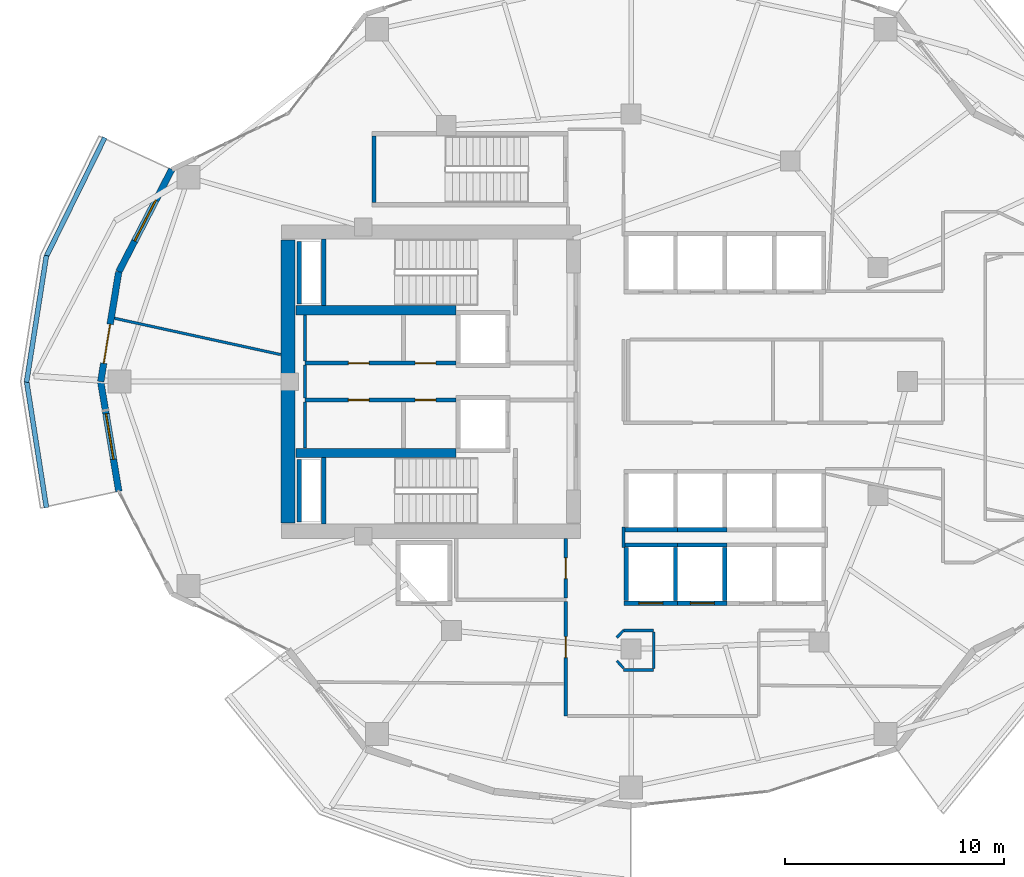
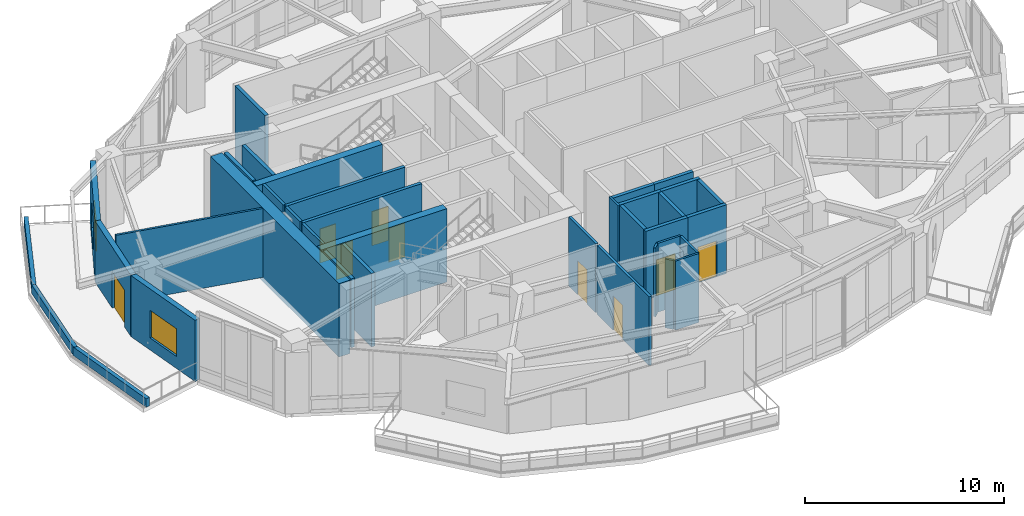
# One storey, part 10 of 16: 37 walls, 9 doors, 2 windows, 11 openings.
"""IFC4 building model written with IfcOpenShell, lengths in metres."""

import ifcopenshell
import ifcopenshell.guid

model = None  # the IFC model being written
_history = None  # IfcOwnerHistory: only IFC2X3 demands one
_inside = {}  # id of a spatial element -> (the spatial element, [elements in it])
_under = {}  # id of a project, library or spatial element -> (it, [spatial elements below it])
_declared = {}  # id of a project -> (the project, [libraries it declares])
_typed = {}  # id of a type object -> (the type object, [elements of that type])
_made_of = {}  # id of a material, layer set ... -> (it, [elements and type objects made of it])


def new_model(schema):
    """Start an empty IFC model of exactly this schema.

    Asked for "IFC4X3", IfcOpenShell would pick the latest addendum, in which some entities
    have other attributes; the version numbers below select the first issue.
    IFC2X3 requires an IfcOwnerHistory on every rooted entity: one is made here for all.
    """
    global model, _history
    if schema == "IFC4X3":
        model = ifcopenshell.file(schema_version=(4, 3, 0, 0))
    else:
        model = ifcopenshell.file(schema=schema)
    _inside.clear()
    _under.clear()
    _declared.clear()
    _typed.clear()
    _made_of.clear()
    _history = None
    if model.schema == "IFC2X3":
        org = make("IfcOrganization", Name="unknown")
        user = make(
            "IfcPersonAndOrganization",
            ThePerson=make("IfcPerson", FamilyName="unknown"),
            TheOrganization=org,
        )
        app = make(
            "IfcApplication",
            ApplicationDeveloper=org,
            Version="unknown",
            ApplicationFullName="unknown",
            ApplicationIdentifier="unknown",
        )
        _history = make(
            "IfcOwnerHistory",
            OwningUser=user,
            OwningApplication=app,
            ChangeAction="ADDED",
            CreationDate=0,
        )
    return model


def make(cls, **values):
    """One entity of the class cls with the attributes given. An attribute that is None is left unset."""
    return model.create_entity(
        cls, **{name: value for name, value in values.items() if value is not None}
    )


def rooted(cls, **values):
    """An entity with a GlobalId (a new one), such as an element, a storey or a relation."""
    return make(cls, GlobalId=ifcopenshell.guid.new(), OwnerHistory=_history, **values)


def si_unit(unit_type, name, prefix=None):
    """IfcSIUnit, for example si_unit("LENGTHUNIT", "METRE", prefix="MILLI")."""
    return make("IfcSIUnit", UnitType=unit_type, Prefix=prefix, Name=name)


def assignment(units):
    """IfcUnitAssignment: the units of a project."""
    return None if units is None else make("IfcUnitAssignment", Units=units)


def point(xyz):
    """IfcCartesianPoint."""
    return None if xyz is None else make("IfcCartesianPoint", Coordinates=xyz)


def direction(xyz):
    """IfcDirection."""
    return None if xyz is None else make("IfcDirection", DirectionRatios=xyz)


def frame(location, z_axis=None, x_axis=None):
    """IfcAxis2Placement3D, a coordinate frame: its origin and axes. An axis left out is left unset."""
    return make(
        "IfcAxis2Placement3D",
        Location=point(location),
        Axis=direction(z_axis),
        RefDirection=direction(x_axis),
    )


def frame_2d(location, x_axis=None):
    """IfcAxis2Placement2D, a coordinate frame in the plane: its origin and x axis."""
    return make(
        "IfcAxis2Placement2D", Location=point(location), RefDirection=direction(x_axis)
    )


def origin():
    """The frame at (0, 0, 0) with its axes left unset."""
    return frame((0.0, 0.0, 0.0))


def place(relative_to, where):
    """IfcLocalPlacement: puts the frame where relative to a parent placement (None: the world)."""
    return make(
        "IfcLocalPlacement", PlacementRelTo=relative_to, RelativePlacement=where
    )


def context(
    kind, dimensions, precision=None, world=None, true_north=None, identifier=None
):
    """IfcGeometricRepresentationContext, for example the 3D "Model" context."""
    return make(
        "IfcGeometricRepresentationContext",
        ContextIdentifier=identifier,
        ContextType=kind,
        CoordinateSpaceDimension=dimensions,
        Precision=precision,
        WorldCoordinateSystem=world,
        TrueNorth=true_north,
    )


def subcontext(parent, identifier, kind, view, scale=None):
    """IfcGeometricRepresentationSubContext, for example "Body" below "Model"."""
    return make(
        "IfcGeometricRepresentationSubContext",
        ContextIdentifier=identifier,
        ContextType=kind,
        ParentContext=parent,
        TargetScale=scale,
        TargetView=view,
    )


def project(units=None, contexts=None):
    """IfcProject with its units and contexts."""
    return rooted(
        "IfcProject",
        Name="project",
        RepresentationContexts=contexts,
        UnitsInContext=assignment(units),
    )


def spatial(cls, under=None, at=None, **own):
    """A site, building, storey or space (cls), placed at a placement, below another one or the project."""
    s = rooted(cls, ObjectPlacement=at, **own)
    if under is not None:
        _under.setdefault(under.id(), (under, []))[1].append(s)
    return s


def profile(cls, at=None, kind="AREA", **sizes):
    """A parametric profile (cls). Its sizes go by their IFC names, for example OverallWidth=200.0."""
    return make(cls, ProfileType=kind, Position=at, **sizes)


def rectangle(**sizes):
    """IfcRectangleProfileDef."""
    return profile("IfcRectangleProfileDef", **sizes)


def extrude(swept, where, along, depth):
    """IfcExtrudedAreaSolid: the profile swept, set in the frame where, extruded along a direction by depth."""
    return make(
        "IfcExtrudedAreaSolid",
        SweptArea=swept,
        Position=where,
        ExtrudedDirection=direction(along),
        Depth=depth,
    )


def shape(context_of_items, identifier, shape_type, items):
    """IfcShapeRepresentation: the items that make up one representation, for example the "Body"."""
    return make(
        "IfcShapeRepresentation",
        ContextOfItems=context_of_items,
        RepresentationIdentifier=identifier,
        RepresentationType=shape_type,
        Items=items,
    )


def material(Name=None, Category=None):
    """IfcMaterial."""
    return make("IfcMaterial", Name=Name, Category=Category)


def layer(
    of_material, thickness, ventilated=None, Name=None, Category=None, Priority=None
):
    """IfcMaterialLayer: one layer of a wall or slab, of a material (None: an air gap)."""
    return make(
        "IfcMaterialLayer",
        Material=of_material,
        LayerThickness=thickness,
        IsVentilated=ventilated,
        Name=Name,
        Category=Category,
        Priority=Priority,
    )


def layer_set(layers, Name=None):
    """IfcMaterialLayerSet."""
    return make("IfcMaterialLayerSet", MaterialLayers=layers, LayerSetName=Name)


def made_of(thing, what):
    """Note that an element or type object is made of a material, layer set ...; save() writes the relation."""
    if what is not None:
        _made_of.setdefault(what.id(), (what, []))[1].append(thing)
    return thing


def type_object(cls, material=None, **own):
    """A type object (cls), such as IfcWallType, which elements share."""
    return made_of(rooted(cls, **own), material)


def element(
    cls,
    number,
    at=None,
    inside=None,
    cuts=None,
    type_object=None,
    material=None,
    context=None,
    identifier="Body",
    shape_type=None,
    held_by="IfcProductDefinitionShape",
    body=None,
    shapes=None,
    **own,
):
    """One element of the class cls, such as IfcWall. Its Tag is "e" and its number.

    at: its placement. inside: the storey or other place that contains it. cuts: it is an
    opening in that element (IfcRelVoidsElement). A single representation is given by context,
    identifier, shape_type and body (its items); several are given by shapes. held_by: the class
    of the entity that holds the representations. save() writes the other relations.
    """
    e = rooted(cls, Tag="e%d" % number, ObjectPlacement=at, **own)
    if body is not None:
        shapes = [shape(context, identifier, shape_type, body)]
    if shapes is not None:
        e.Representation = make(held_by, Representations=shapes)
    if inside is not None:
        _inside.setdefault(inside.id(), (inside, []))[1].append(e)
    if cuts is not None:
        rooted(
            "IfcRelVoidsElement", RelatingBuildingElement=cuts, RelatedOpeningElement=e
        )
    if type_object is not None:
        _typed.setdefault(type_object.id(), (type_object, []))[1].append(e)
    return made_of(e, material)


def fill(opening, filler):
    """IfcRelFillsElement: the door or window that sits in an opening."""
    return rooted(
        "IfcRelFillsElement",
        RelatingOpeningElement=opening,
        RelatedBuildingElement=filler,
    )


def aggregate(whole, parts):
    """IfcRelAggregates: a whole, such as a stair, and the parts it consists of."""
    return rooted("IfcRelAggregates", RelatingObject=whole, RelatedObjects=parts)


def save(model, path):
    """Write the relations noted so far, then the file.

    IfcRelAggregates (storeys below a building ...), IfcRelContainedInSpatialStructure (elements
    in a storey), IfcRelDefinesByType, IfcRelAssociatesMaterial and IfcRelDeclares: one each for
    every whole, place, type object, material and project.
    """
    for whole, parts in _under.values():
        aggregate(whole, parts)
    for where, things in _inside.values():
        rooted(
            "IfcRelContainedInSpatialStructure",
            RelatedElements=things,
            RelatingStructure=where,
        )
    for kind, things in _typed.values():
        rooted("IfcRelDefinesByType", RelatedObjects=things, RelatingType=kind)
    for what, things in _made_of.values():
        rooted("IfcRelAssociatesMaterial", RelatedObjects=things, RelatingMaterial=what)
    for by, libraries in _declared.values():
        rooted("IfcRelDeclares", RelatingContext=by, RelatedDefinitions=libraries)
    model.write(path)


model = new_model("IFC4")

# Units and contexts
model_context = context("Model", 3, precision=1e-05, world=origin(), true_north=direction((0.0, 1.0)))
body_context = subcontext(model_context, "Body", "Model", "MODEL_VIEW")
ifc_project = project(units=[si_unit("LENGTHUNIT", "METRE"), si_unit("AREAUNIT", "SQUARE_METRE"), si_unit("VOLUMEUNIT", "CUBIC_METRE"), si_unit("PLANEANGLEUNIT", "RADIAN"), si_unit("MASSUNIT", "GRAM", prefix="KILO")], contexts=[model_context])

# Site, building, storey
site_placement = place(None, origin())
site = spatial("IfcSite", under=ifc_project, at=site_placement, CompositionType="ELEMENT")
building_placement = place(site_placement, origin())
building = spatial("IfcBuilding", under=site, at=building_placement, Name="Kolvaren Gate Tower and Convention Centre", CompositionType="ELEMENT")
storey_placement = place(building_placement, frame((0.0, 0.0, 100.800048828125)))
storey = spatial("IfcBuildingStorey", under=building, at=storey_placement, Name="L24", CompositionType="ELEMENT", Elevation=100.800048828125)

# Wall, openings, doors
ifc_material_1 = material(Name="Autoclaved Aerated Masonry Blockwork Class 4 (4.0 MPa)", Category="masonry")
ifc_layer_1 = layer(ifc_material_1, 0.179931640625)
ifc_layer_set_1 = layer_set([ifc_layer_1], Name="Autoclaved Aerated Masonry Blockwork Class 4 (4.0 MPa)")
wall_type_1 = type_object("IfcWallType", Name="ARCH-WL-COMP-180", PredefinedType="SOLIDWALL", material=ifc_layer_set_1)
wall_1_placement = place(storey_placement, frame((15.25, 27.840087890625, 0.0), z_axis=(0.0, 0.0, 1.0), x_axis=(1.0, 0.0, 0.0)))
wall_1 = element("IfcWall", 1, at=wall_1_placement, inside=storey, type_object=wall_type_1, Name="Interior Partition WL-L24-INT-004", PredefinedType="SOLIDWALL", context=body_context, shape_type="SweptSolid", body=[
    extrude(rectangle(XDim=6.89990234375, YDim=0.179931640625, at=frame_2d((3.449951171875, 0.0))), origin(), (0.0, 0.0, 1.0), 4.22998046875),
])
opening_1_placement = place(wall_1_placement, frame((5.02001953125, 0.0, 0.0)))
opening_1 = element("IfcOpeningElement", 2, at=opening_1_placement, cuts=wall_1, Name="Opening DR-01", PredefinedType="OPENING", context=body_context, shape_type="SweptSolid", body=[
    extrude(rectangle(XDim=0.949951171875, YDim=2.10009765625, at=frame_2d((0.47509765625, 1.050048828125))), frame((0.0, 0.099853515625, 0.0), z_axis=(0.0, -1.0, 0.0), x_axis=(1.0, 0.0, 0.0)), (0.0, 0.0, 1.0), 0.199951171875),
])
opening_2_placement = place(wall_1_placement, frame((1.97998046875, 0.0, 0.0)))
opening_2 = element("IfcOpeningElement", 3, at=opening_2_placement, cuts=wall_1, Name="Opening DR-01", PredefinedType="OPENING", context=body_context, shape_type="SweptSolid", body=[
    extrude(rectangle(XDim=0.949951171875, YDim=2.10009765625, at=frame_2d((0.47509765625, 1.050048828125))), frame((0.0, 0.099853515625, 0.0), z_axis=(0.0, -1.0, 0.0), x_axis=(1.0, 0.0, 0.0)), (0.0, 0.0, 1.0), 0.199951171875),
])
ifc_material_2 = material(Name="Painted Architectural Steelwork ASTM A500 Grade C 345 MPa", Category="steel")
door_type_1 = type_object("IfcDoorType", Name="ARCH-DR-RISER-950", OperationType="SINGLE_SWING_RIGHT", PredefinedType="DOOR", material=ifc_material_2)
door_1_placement = place(opening_1_placement, origin())
door_1 = element("IfcDoor", 4, at=door_1_placement, inside=storey, type_object=door_type_1, Name="Electrical Switchgear Closet Door", OperationType="SINGLE_SWING_RIGHT", OverallHeight=2.10009765625, OverallWidth=0.949951171875, PredefinedType="DOOR", context=body_context, shape_type="SweptSolid", body=[
    extrude(rectangle(XDim=0.949951171875, YDim=2.10009765625, at=frame_2d((0.47509765625, 1.050048828125))), frame((0.0, 0.02490234375, 0.0), z_axis=(0.0, -1.0, 0.0), x_axis=(1.0, 0.0, 0.0)), (0.0, 0.0, 1.0), 0.050048828125),
])
fill(opening_1, door_1)
door_2_placement = place(opening_2_placement, origin())
door_2 = element("IfcDoor", 5, at=door_2_placement, inside=storey, type_object=door_type_1, Name="Staff Powder Washroom Door", OperationType="SINGLE_SWING_RIGHT", OverallHeight=2.10009765625, OverallWidth=0.949951171875, PredefinedType="DOOR", context=body_context, shape_type="SweptSolid", body=[
    extrude(rectangle(XDim=0.949951171875, YDim=2.10009765625, at=frame_2d((0.47509765625, 1.050048828125))), frame((0.0, 0.02490234375, 0.0), z_axis=(0.0, -1.0, 0.0), x_axis=(1.0, 0.0, 0.0)), (0.0, 0.0, 1.0), 0.050048828125),
])
fill(opening_2, door_2)

wall_2_placement = place(storey_placement, frame((15.25, 26.159912109375, 0.0), z_axis=(0.0, 0.0, 1.0), x_axis=(1.0, 0.0, 0.0)))
wall_2 = element("IfcWall", 6, at=wall_2_placement, inside=storey, type_object=wall_type_1, Name="Interior Partition WL-L24-INT-005", PredefinedType="SOLIDWALL", context=body_context, shape_type="SweptSolid", body=[
    extrude(rectangle(XDim=6.89990234375, YDim=0.179931640625, at=frame_2d((3.449951171875, 0.0))), origin(), (0.0, 0.0, 1.0), 4.22998046875),
])
opening_3_placement = place(wall_2_placement, frame((5.02001953125, 0.0, 0.0)))
opening_3 = element("IfcOpeningElement", 7, at=opening_3_placement, cuts=wall_2, Name="Opening DR-01", PredefinedType="OPENING", context=body_context, shape_type="SweptSolid", body=[
    extrude(rectangle(XDim=0.949951171875, YDim=2.10009765625, at=frame_2d((0.47509765625, 1.050048828125))), frame((0.0, 0.099853515625, 0.0), z_axis=(0.0, -1.0, 0.0), x_axis=(1.0, 0.0, 0.0)), (0.0, 0.0, 1.0), 0.199951171875),
])
opening_4_placement = place(wall_2_placement, frame((1.97998046875, 0.0, 0.0)))
opening_4 = element("IfcOpeningElement", 8, at=opening_4_placement, cuts=wall_2, Name="Opening DR-01", PredefinedType="OPENING", context=body_context, shape_type="SweptSolid", body=[
    extrude(rectangle(XDim=0.949951171875, YDim=2.10009765625, at=frame_2d((0.47509765625, 1.050048828125))), frame((0.0, 0.099853515625, 0.0), z_axis=(0.0, -1.0, 0.0), x_axis=(1.0, 0.0, 0.0)), (0.0, 0.0, 1.0), 0.199951171875),
])
door_3_placement = place(opening_3_placement, origin())
door_3 = element("IfcDoor", 9, at=door_3_placement, inside=storey, type_object=door_type_1, Name="Domestic Water Meter Closet Door", OperationType="SINGLE_SWING_LEFT", OverallHeight=2.10009765625, OverallWidth=0.949951171875, PredefinedType="DOOR", context=body_context, shape_type="SweptSolid", body=[
    extrude(rectangle(XDim=0.949951171875, YDim=2.10009765625, at=frame_2d((0.47509765625, 1.050048828125))), frame((0.0, 0.02490234375, 0.0), z_axis=(0.0, -1.0, 0.0), x_axis=(1.0, 0.0, 0.0)), (0.0, 0.0, 1.0), 0.050048828125),
])
fill(opening_3, door_3)
door_4_placement = place(opening_4_placement, origin())
door_4 = element("IfcDoor", 10, at=door_4_placement, inside=storey, type_object=door_type_1, Name="Janitor Equipment Store Door", OperationType="SINGLE_SWING_LEFT", OverallHeight=2.10009765625, OverallWidth=0.949951171875, PredefinedType="DOOR", context=body_context, shape_type="SweptSolid", body=[
    extrude(rectangle(XDim=0.949951171875, YDim=2.10009765625, at=frame_2d((0.47509765625, 1.050048828125))), frame((0.0, 0.02490234375, 0.0), z_axis=(0.0, -1.0, 0.0), x_axis=(1.0, 0.0, 0.0)), (0.0, 0.0, 1.0), 0.050048828125),
])
fill(opening_4, door_4)

# Walls
ifc_material_3 = material(Name="Fire-Rated Acoustic Gypsum Stud Partition", Category="gypsum")
ifc_layer_2 = layer(ifc_material_3, 0.1201171875)
ifc_layer_set_2 = layer_set([ifc_layer_2], Name="Fire-Rated Acoustic Gypsum Stud Partition")
wall_type_2 = type_object("IfcWallType", Name="ARCH-WL-PART-120", PredefinedType="PARTITIONING", material=ifc_layer_set_2)
wall_3_placement = place(storey_placement, frame((29.780029296875, 15.64990234375, 0.0), z_axis=(0.0, 0.0, 1.0), x_axis=(1.0, 0.0, 0.0)))
element("IfcWall", 11, at=wall_3_placement, inside=storey, type_object=wall_type_2, Name="Interior Partition WL-L24-INT-017", PredefinedType="PARTITIONING", context=body_context, shape_type="SweptSolid", body=[
    extrude(rectangle(XDim=1.369873046875, YDim=0.1201171875, at=frame_2d((0.68505859375, 0.0))), origin(), (0.0, 0.0, 1.0), 4.22998046875),
])
wall_4_placement = place(storey_placement, frame((29.780029296875, 19.43994140625, 0.0), z_axis=(0.0, 0.0, 1.0), x_axis=(0.0, 1.0, 0.0)))
element("IfcWall", 12, at=wall_4_placement, inside=storey, type_object=wall_type_2, Name="Interior Partition WL-L24-INT-023", PredefinedType="PARTITIONING", context=body_context, shape_type="SweptSolid", body=[
    extrude(rectangle(XDim=0.920166015625, YDim=0.1201171875, at=frame_2d((0.4599609375, 0.0))), origin(), (0.0, 0.0, 1.0), 4.22998046875),
])
wall_5_placement = place(storey_placement, frame((29.47607421875, 15.3330078125, 0.0), z_axis=(0.0, 0.0, 1.0), x_axis=(0.692219273951, 0.721687243043, 0.0)))
element("IfcWall", 13, at=wall_5_placement, inside=storey, type_object=wall_type_2, Name="Interior Partition WL-L24-INT-039", PredefinedType="PARTITIONING", context=body_context, shape_type="SweptSolid", body=[
    extrude(rectangle(XDim=0.439208984375, YDim=0.1201171875, at=frame_2d((0.2197265625, 0.0))), origin(), (0.0, 0.0, 1.0), 4.22998046875),
])
wall_6_placement = place(storey_placement, frame((29.47607421875, 14.26708984375, 0.0), z_axis=(0.0, 0.0, 1.0), x_axis=(0.670659392016, -0.741765448037, 0.0)))
element("IfcWall", 14, at=wall_6_placement, inside=storey, type_object=wall_type_2, Name="Interior Partition WL-L24-INT-040", PredefinedType="PARTITIONING", context=body_context, shape_type="SweptSolid", body=[
    extrude(rectangle(XDim=0.453125, YDim=0.1201171875, at=frame_2d((0.2265625, 0.0))), origin(), (0.0, 0.0, 1.0), 4.22998046875),
])
wall_7_placement = place(storey_placement, frame((29.780029296875, 13.85009765625, 0.0), z_axis=(0.0, 0.0, 1.0), x_axis=(1.0, 0.0, 0.0)))
element("IfcWall", 15, at=wall_7_placement, inside=storey, type_object=wall_type_2, Name="Interior Partition WL-L24-INT-041", PredefinedType="PARTITIONING", context=body_context, shape_type="SweptSolid", body=[
    extrude(rectangle(XDim=1.369873046875, YDim=0.1201171875, at=frame_2d((0.68505859375, 0.0))), origin(), (0.0, 0.0, 1.0), 4.22998046875),
])
wall_8_placement = place(storey_placement, frame((31.14990234375, 13.912109375, 0.0), z_axis=(0.0, 0.0, 1.0), x_axis=(0.0, 1.0, 0.0)))
element("IfcWall", 16, at=wall_8_placement, inside=storey, type_object=wall_type_2, Name="Interior Partition WL-L24-INT-042", PredefinedType="PARTITIONING", context=body_context, shape_type="SweptSolid", body=[
    extrude(rectangle(XDim=1.67578125, YDim=0.1201171875, at=frame_2d((0.837890625, 0.0))), origin(), (0.0, 0.0, 1.0), 4.22998046875),
])
wall_9_placement = place(storey_placement, frame((6.56689453125, 29.887451171875, 0.0), z_axis=(0.0, 0.0, 1.0), x_axis=(0.976956632184, -0.213437903927, 0.0)))
element("IfcWall", 17, at=wall_9_placement, inside=storey, type_object=wall_type_2, Name="Interior Partition WL-L24-INT-043", PredefinedType="PARTITIONING", context=body_context, shape_type="SweptSolid", body=[
    extrude(rectangle(XDim=7.759765625, YDim=0.1201171875, at=frame_2d((3.8798828125, 0.0))), origin(), (0.0, 0.0, 1.0), 4.22998046875),
])
ifc_material_4 = material(Name="Piedmont Cream Honed Limestone Cladding", Category="masonry")
ifc_layer_3 = layer(ifc_material_4, 0.219970703125)
ifc_layer_set_3 = layer_set([ifc_layer_3], Name="Piedmont Cream Honed Limestone Cladding")
wall_type_3 = type_object("IfcWallType", Name="ARCH-WL-PLANTER-220", PredefinedType="PARAPET", material=ifc_layer_set_3)
wall_10_placement = place(storey_placement, frame((3.44873046875, 32.68701171875, 0.0), z_axis=(0.0, 0.0, 1.0), x_axis=(0.441269631716, 0.897374566235, 0.0)))
element("IfcWall", 18, at=wall_10_placement, inside=storey, type_object=wall_type_3, Name="Vertical-Forest Balcony Stone Planter Kerb PK-L24-2.1", PredefinedType="PARAPET", context=body_context, shape_type="SweptSolid", body=[
    extrude(rectangle(XDim=6.05615234375, YDim=0.219970703125, at=frame_2d((3.028076171875, 0.0))), origin(), (0.0, 0.0, 1.0), 0.52001953125),
])
for number, where, z_axis, x_axis, name in (
    (19, (2.555908203125, 26.970703125, 0.0), (0.0, 0.0, 1.0), (0.154903030247, 0.987929679289, 0.0), "Vertical-Forest Balcony Stone Planter Kerb PK-L24-2.2"),
    (20, (2.555908203125, 27.029296875, 0.0), (0.0, 0.0, 1.0), (0.154903030247, -0.987929679289, 0.0), "Vertical-Forest Balcony Stone Planter Kerb PK-L24-2.3"),
):
    element("IfcWall", number, at=place(storey_placement, frame(where, z_axis=z_axis, x_axis=x_axis)), inside=storey, type_object=wall_type_3, Name=name, PredefinedType="PARAPET", context=body_context, shape_type="SweptSolid", body=[
        extrude(rectangle(XDim=5.845703125, YDim=0.219970703125, at=frame_2d((2.9228515625, 0.0))), origin(), (0.0, 0.0, 1.0), 0.52001953125),
    ])
ifc_layer_4 = layer(ifc_material_1, 0.199951171875)
ifc_layer_set_4 = layer_set([ifc_layer_4], Name="Autoclaved Aerated Masonry Blockwork Class 4 (4.0 MPa)")
wall_type_4 = type_object("IfcWallType", Name="ARCH-WL-SHAFT-200", PredefinedType="SOLIDWALL", material=ifc_layer_set_4)
wall_11_placement = place(storey_placement, frame((29.800048828125, 19.550048828125, 0.0), z_axis=(0.0, 0.0, 1.0), x_axis=(1.0, 0.0, 0.0)))
element("IfcWall", 21, at=wall_11_placement, inside=storey, type_object=wall_type_4, Name="Elevator PL-05 L24 Fire Shaft Wall N", PredefinedType="SOLIDWALL", context=body_context, shape_type="SweptSolid", body=[
    extrude(rectangle(XDim=2.449951171875, YDim=0.199951171875, at=frame_2d((1.22509765625, 0.0))), origin(), (0.0, 0.0, 1.0), 4.22998046875),
])

# Wall, opening, door
wall_12_placement = place(storey_placement, frame((29.800048828125, 16.89990234375, 0.0), z_axis=(0.0, 0.0, 1.0), x_axis=(1.0, 0.0, 0.0)))
wall_12 = element("IfcWall", 22, at=wall_12_placement, inside=storey, type_object=wall_type_4, Name="Elevator PL-05 L24 Fire Shaft Wall S", PredefinedType="SOLIDWALL", context=body_context, shape_type="SweptSolid", body=[
    extrude(rectangle(XDim=2.449951171875, YDim=0.199951171875, at=frame_2d((1.22509765625, 0.0))), origin(), (0.0, 0.0, 1.0), 4.22998046875),
])
opening_5_placement = place(wall_12_placement, frame((0.675048828125, 0.0, 0.0)))
opening_5 = element("IfcOpeningElement", 23, at=opening_5_placement, cuts=wall_12, Name="Opening LD", PredefinedType="OPENING", context=body_context, shape_type="SweptSolid", body=[
    extrude(rectangle(XDim=1.10009765625, YDim=2.199951171875, at=frame_2d((0.550048828125, 1.10009765625))), frame((0.0, 0.10986328125, 0.0), z_axis=(0.0, -1.0, 0.0), x_axis=(1.0, 0.0, 0.0)), (0.0, 0.0, 1.0), 0.219970703125),
])
ifc_material_5 = material(Name="Brushed Stainless Steel Grade 316L", Category="steel")
door_type_2 = type_object("IfcDoorType", Name="ARCH-DR-LIFT-1100", OperationType="SLIDING_TO_LEFT", PredefinedType="DOOR", material=ifc_material_5)
door_5_placement = place(opening_5_placement, origin())
door_5 = element("IfcDoor", 24, at=door_5_placement, inside=storey, type_object=door_type_2, Name="Elevator PL-05 L24 Sliding Landing Door", OperationType="SLIDING_TO_LEFT", OverallHeight=2.199951171875, OverallWidth=1.10009765625, PredefinedType="DOOR", context=body_context, shape_type="SweptSolid", body=[
    extrude(rectangle(XDim=1.10009765625, YDim=2.199951171875, at=frame_2d((0.550048828125, 1.10009765625))), frame((0.0, 0.02490234375, 0.0), z_axis=(0.0, -1.0, 0.0), x_axis=(1.0, 0.0, 0.0)), (0.0, 0.0, 1.0), 0.050048828125),
])
fill(opening_5, door_5)

# Walls
for number, where, z_axis, x_axis, name in (
    (25, (29.89990234375, 17.010009765625, 0.0), (0.0, 0.0, 1.0), (0.0, 1.0, 0.0), "Elevator PL-05 L24 Fire Shaft Wall W"),
    (26, (32.14990234375, 17.010009765625, 0.0), (0.0, 0.0, 1.0), (0.0, 1.0, 0.0), "Elevator PL-05 L24 Fire Shaft Wall E"),
):
    element("IfcWall", number, at=place(storey_placement, frame(where, z_axis=z_axis, x_axis=x_axis)), inside=storey, type_object=wall_type_4, Name=name, PredefinedType="SOLIDWALL", context=body_context, shape_type="SweptSolid", body=[
        extrude(rectangle(XDim=2.429931640625, YDim=0.199951171875, at=frame_2d((1.21484375, 0.0))), origin(), (0.0, 0.0, 1.0), 4.22998046875),
    ])
wall_13_placement = place(storey_placement, frame((32.25, 19.550048828125, 0.0), z_axis=(0.0, 0.0, 1.0), x_axis=(1.0, 0.0, 0.0)))
element("IfcWall", 27, at=wall_13_placement, inside=storey, type_object=wall_type_4, Name="Elevator PL-06 L24 Fire Shaft Wall N", PredefinedType="SOLIDWALL", context=body_context, shape_type="SweptSolid", body=[
    extrude(rectangle(XDim=2.25, YDim=0.199951171875, at=frame_2d((1.125, 0.0))), origin(), (0.0, 0.0, 1.0), 4.22998046875),
])

# Wall, opening, door
wall_14_placement = place(storey_placement, frame((32.25, 16.89990234375, 0.0), z_axis=(0.0, 0.0, 1.0), x_axis=(1.0, 0.0, 0.0)))
wall_14 = element("IfcWall", 28, at=wall_14_placement, inside=storey, type_object=wall_type_4, Name="Elevator PL-06 L24 Fire Shaft Wall S", PredefinedType="SOLIDWALL", context=body_context, shape_type="SweptSolid", body=[
    extrude(rectangle(XDim=2.25, YDim=0.199951171875, at=frame_2d((1.125, 0.0))), origin(), (0.0, 0.0, 1.0), 4.22998046875),
])
opening_6_placement = place(wall_14_placement, frame((0.574951171875, 0.0, 0.0)))
opening_6 = element("IfcOpeningElement", 29, at=opening_6_placement, cuts=wall_14, Name="Opening LD", PredefinedType="OPENING", context=body_context, shape_type="SweptSolid", body=[
    extrude(rectangle(XDim=1.10009765625, YDim=2.199951171875, at=frame_2d((0.550048828125, 1.10009765625))), frame((0.0, 0.10986328125, 0.0), z_axis=(0.0, -1.0, 0.0), x_axis=(1.0, 0.0, 0.0)), (0.0, 0.0, 1.0), 0.219970703125),
])
door_6_placement = place(opening_6_placement, origin())
door_6 = element("IfcDoor", 30, at=door_6_placement, inside=storey, type_object=door_type_2, Name="Elevator PL-06 L24 Sliding Landing Door", OperationType="SLIDING_TO_LEFT", OverallHeight=2.199951171875, OverallWidth=1.10009765625, PredefinedType="DOOR", context=body_context, shape_type="SweptSolid", body=[
    extrude(rectangle(XDim=1.10009765625, YDim=2.199951171875, at=frame_2d((0.550048828125, 1.10009765625))), frame((0.0, 0.02490234375, 0.0), z_axis=(0.0, -1.0, 0.0), x_axis=(1.0, 0.0, 0.0)), (0.0, 0.0, 1.0), 0.050048828125),
])
fill(opening_6, door_6)

# Walls
wall_15_placement = place(storey_placement, frame((34.39990234375, 17.010009765625, 0.0), z_axis=(0.0, 0.0, 1.0), x_axis=(0.0, 1.0, 0.0)))
element("IfcWall", 31, at=wall_15_placement, inside=storey, type_object=wall_type_4, Name="Elevator PL-06 L24 Fire Shaft Wall E", PredefinedType="SOLIDWALL", context=body_context, shape_type="SweptSolid", body=[
    extrude(rectangle(XDim=2.429931640625, YDim=0.199951171875, at=frame_2d((1.21484375, 0.0))), origin(), (0.0, 0.0, 1.0), 4.22998046875),
])
wall_16_placement = place(storey_placement, frame((29.800048828125, 20.25, 0.0), z_axis=(0.0, 0.0, 1.0), x_axis=(1.0, 0.0, 0.0)))
element("IfcWall", 32, at=wall_16_placement, inside=storey, type_object=wall_type_4, Name="Elevator PL-09 L24 Fire Shaft Wall S", PredefinedType="SOLIDWALL", context=body_context, shape_type="SweptSolid", body=[
    extrude(rectangle(XDim=2.449951171875, YDim=0.199951171875, at=frame_2d((1.22509765625, 0.0))), origin(), (0.0, 0.0, 1.0), 4.22998046875),
])
wall_17_placement = place(storey_placement, frame((32.25, 20.25, 0.0), z_axis=(0.0, 0.0, 1.0), x_axis=(1.0, 0.0, 0.0)))
element("IfcWall", 33, at=wall_17_placement, inside=storey, type_object=wall_type_4, Name="Elevator PL-10 L24 Fire Shaft Wall S", PredefinedType="SOLIDWALL", context=body_context, shape_type="SweptSolid", body=[
    extrude(rectangle(XDim=2.25, YDim=0.199951171875, at=frame_2d((1.125, 0.0))), origin(), (0.0, 0.0, 1.0), 4.22998046875),
])
for number, where, z_axis, x_axis, name in (
    (34, (14.989990234375, 30.550048828125, 0.0), (0.0, 0.0, 1.0), (0.0, 1.0, 0.0), "Vertical Shaft HVR L24 EI-120 Enclosure Wall W"),
    (35, (14.989990234375, 20.60009765625, 0.0), (0.0, 0.0, 1.0), (0.0, 1.0, 0.0), "Vertical Shaft MPR L24 EI-120 Enclosure Wall W"),
):
    element("IfcWall", number, at=place(storey_placement, frame(where, z_axis=z_axis, x_axis=x_axis)), inside=storey, type_object=wall_type_4, Name=name, PredefinedType="SOLIDWALL", context=body_context, shape_type="SweptSolid", body=[
        extrude(rectangle(XDim=2.849853515625, YDim=0.199951171875, at=frame_2d((1.4248046875, 0.0))), origin(), (0.0, 0.0, 1.0), 4.22998046875),
    ])

# Wall, opening, window
ifc_layer_5 = layer(ifc_material_4, 0.300048828125)
ifc_layer_set_5 = layer_set([ifc_layer_5], Name="Piedmont Cream Honed Limestone Cladding")
wall_type_5 = type_object("IfcWallType", Name="ARCH-WL-STONE-300", PredefinedType="SOLIDWALL", material=ifc_layer_set_5)
wall_18_placement = place(storey_placement, frame((6.76171875, 32.008056640625, 0.0), z_axis=(0.0, 0.0, 1.0), x_axis=(0.459767899643, 0.888039119892, 0.0)))
wall_18 = element("IfcWall", 36, at=wall_18_placement, inside=storey, type_object=wall_type_5, Name="Tower L24 Honed Stone Spandrel Wall EW-10", PredefinedType="SOLIDWALL", context=body_context, shape_type="SweptSolid", body=[
    extrude(rectangle(XDim=5.25537109375, YDim=0.300048828125, at=frame_2d((2.627685546875, 0.0))), origin(), (0.0, 0.0, 1.0), 3.7529296875),
])
opening_7_placement = place(wall_18_placement, frame((1.577880859375, 0.0, 0.739990234375)))
opening_7 = element("IfcOpeningElement", 37, at=opening_7_placement, cuts=wall_18, Name="Opening W-02", PredefinedType="OPENING", context=body_context, shape_type="SweptSolid", body=[
    extrude(rectangle(XDim=2.10009765625, YDim=1.699951171875, at=frame_2d((1.050048828125, 0.85009765625))), frame((0.0, 0.159912109375, 0.0), z_axis=(0.0, -1.0, 0.0), x_axis=(1.0, 0.0, 0.0)), (0.0, 0.0, 1.0), 0.320068359375),
])
ifc_material_6 = material(Name="Low-E Triple Insulated Glazing Unit 44 mm", Category="glass")
window_type = type_object("IfcWindowType", Name="ARCH-WN-HTL-2100", PartitioningType="SINGLE_PANEL", PredefinedType="WINDOW", material=ifc_material_6)
window_1_placement = place(opening_7_placement, origin())
window_1 = element("IfcWindow", 38, at=window_1_placement, inside=storey, type_object=window_type, Name="Tower L24 Punched Stone Facade Window W-10", OverallHeight=1.699951171875, OverallWidth=2.10009765625, PartitioningType="SINGLE_PANEL", PredefinedType="WINDOW", context=body_context, shape_type="SweptSolid", body=[
    extrude(rectangle(XDim=2.10009765625, YDim=1.699951171875, at=frame_2d((1.050048828125, 0.85009765625))), frame((0.0, 0.030029296875, 0.0), z_axis=(0.0, -1.0, 0.0), x_axis=(1.0, 0.0, 0.0)), (0.0, 0.0, 1.0), 0.06005859375),
])
fill(opening_7, window_1)

# Wall, opening, door
wall_19_placement = place(storey_placement, frame((5.9375, 27.0, 0.0), z_axis=(0.0, 0.0, 1.0), x_axis=(0.162393944769, 0.986726003864, 0.0)))
wall_19 = element("IfcWall", 39, at=wall_19_placement, inside=storey, type_object=wall_type_5, Name="Tower L24 Honed Stone Spandrel Wall EW-11", PredefinedType="SOLIDWALL", context=body_context, shape_type="SweptSolid", body=[
    extrude(rectangle(XDim=5.075439453125, YDim=0.300048828125, at=frame_2d((2.53759765625, 0.0))), origin(), (0.0, 0.0, 1.0), 3.7529296875),
])
opening_8_placement = place(wall_19_placement, frame((0.85009765625, 0.0, 0.0)))
opening_8 = element("IfcOpeningElement", 40, at=opening_8_placement, cuts=wall_19, Name="Opening DB-01", PredefinedType="OPENING", context=body_context, shape_type="SweptSolid", body=[
    extrude(rectangle(XDim=1.800048828125, YDim=2.25, at=frame_2d((0.89990234375, 1.125))), frame((0.0, 0.159912109375, 0.0), z_axis=(0.0, -1.0, 0.0), x_axis=(1.0, 0.0, 0.0)), (0.0, 0.0, 1.0), 0.320068359375),
])
ifc_material_7 = material(Name="Anodized Architectural Aluminium Alloy 6063-T6", Category="aluminium")
door_type_3 = type_object("IfcDoorType", Name="ARCH-DR-BALC-1800", OperationType="SLIDING_TO_LEFT", PredefinedType="DOOR", material=ifc_material_7)
door_7_placement = place(opening_8_placement, origin())
door_7 = element("IfcDoor", 41, at=door_7_placement, inside=storey, type_object=door_type_3, Name="Planted Sky Terrace Access Door DB-L24-11", OperationType="SLIDING_TO_LEFT", OverallHeight=2.25, OverallWidth=1.800048828125, PredefinedType="DOOR", context=body_context, shape_type="SweptSolid", body=[
    extrude(rectangle(XDim=1.800048828125, YDim=2.25, at=frame_2d((0.89990234375, 1.125))), frame((0.0, 0.02490234375, 0.0), z_axis=(0.0, -1.0, 0.0), x_axis=(1.0, 0.0, 0.0)), (0.0, 0.0, 1.0), 0.050048828125),
])
fill(opening_8, door_7)

# Wall, opening, window
wall_20_placement = place(storey_placement, frame((5.9375, 27.0, 0.0), z_axis=(0.0, 0.0, 1.0), x_axis=(0.162393944769, -0.986726003864, 0.0)))
wall_20 = element("IfcWall", 42, at=wall_20_placement, inside=storey, type_object=wall_type_5, Name="Tower L24 Honed Stone Spandrel Wall EW-12", PredefinedType="SOLIDWALL", context=body_context, shape_type="SweptSolid", body=[
    extrude(rectangle(XDim=5.075439453125, YDim=0.300048828125, at=frame_2d((2.53759765625, 0.0))), origin(), (0.0, 0.0, 1.0), 3.7529296875),
])
opening_9_placement = place(wall_20_placement, frame((1.488037109375, 0.0, 0.739990234375)))
opening_9 = element("IfcOpeningElement", 43, at=opening_9_placement, cuts=wall_20, Name="Opening W-02", PredefinedType="OPENING", context=body_context, shape_type="SweptSolid", body=[
    extrude(rectangle(XDim=2.10009765625, YDim=1.699951171875, at=frame_2d((1.050048828125, 0.85009765625))), frame((0.0, 0.159912109375, 0.0), z_axis=(0.0, -1.0, 0.0), x_axis=(1.0, 0.0, 0.0)), (0.0, 0.0, 1.0), 0.320068359375),
])
window_2_placement = place(opening_9_placement, origin())
window_2 = element("IfcWindow", 44, at=window_2_placement, inside=storey, type_object=window_type, Name="Tower L24 Punched Stone Facade Window W-12", OverallHeight=1.699951171875, OverallWidth=2.10009765625, PartitioningType="SINGLE_PANEL", PredefinedType="WINDOW", context=body_context, shape_type="SweptSolid", body=[
    extrude(rectangle(XDim=2.10009765625, YDim=1.699951171875, at=frame_2d((1.050048828125, 0.85009765625))), frame((0.0, 0.030029296875, 0.0), z_axis=(0.0, -1.0, 0.0), x_axis=(1.0, 0.0, 0.0)), (0.0, 0.0, 1.0), 0.06005859375),
])
fill(opening_9, window_2)

# Walls
ifc_material_8 = material(Name="Moisture-Resistant Cement-Board Acoustic Partition", Category="gypsum")
ifc_layer_6 = layer(ifc_material_8, 0.14990234375)
ifc_layer_set_6 = layer_set([ifc_layer_6], Name="Moisture-Resistant Cement-Board Acoustic Partition")
wall_type_6 = type_object("IfcWallType", Name="ARCH-WL-WET-150", PredefinedType="PARTITIONING", material=ifc_layer_set_6)
wall_21_placement = place(storey_placement, frame((15.25, 23.9619140625, 0.0), z_axis=(0.0, 0.0, 1.0), x_axis=(0.0, 1.0, 0.0)))
element("IfcWall", 45, at=wall_21_placement, inside=storey, type_object=wall_type_6, Name="Interior Partition WL-L24-INT-006", PredefinedType="PARTITIONING", context=body_context, shape_type="SweptSolid", body=[
    extrude(rectangle(XDim=2.106201171875, YDim=0.14990234375, at=frame_2d((1.05322265625, 0.0))), origin(), (0.0, 0.0, 1.0), 4.22998046875),
])
wall_22_placement = place(storey_placement, frame((15.25, 26.251953125, 0.0), z_axis=(0.0, 0.0, 1.0), x_axis=(0.0, 1.0, 0.0)))
element("IfcWall", 46, at=wall_22_placement, inside=storey, type_object=wall_type_6, Name="Interior Partition WL-L24-INT-006 (2)", PredefinedType="PARTITIONING", context=body_context, shape_type="SweptSolid", body=[
    extrude(rectangle(XDim=1.49609375, YDim=0.14990234375, at=frame_2d((0.748046875, 0.0))), origin(), (0.0, 0.0, 1.0), 4.22998046875),
])
wall_23_placement = place(storey_placement, frame((15.25, 27.931884765625, 0.0), z_axis=(0.0, 0.0, 1.0), x_axis=(0.0, 1.0, 0.0)))
element("IfcWall", 47, at=wall_23_placement, inside=storey, type_object=wall_type_6, Name="Interior Partition WL-L24-INT-006 (3)", PredefinedType="PARTITIONING", context=body_context, shape_type="SweptSolid", body=[
    extrude(rectangle(XDim=2.106201171875, YDim=0.14990234375, at=frame_2d((1.05322265625, 0.0))), origin(), (0.0, 0.0, 1.0), 4.22998046875),
])

# Wall, opening, door
wall_24_placement = place(storey_placement, frame((27.14990234375, 11.75, 0.0), z_axis=(0.0, 0.0, 1.0), x_axis=(0.0, 1.0, 0.0)))
wall_24 = element("IfcWall", 48, at=wall_24_placement, inside=storey, type_object=wall_type_6, Name="Interior Partition WL-L24-INT-011", PredefinedType="PARTITIONING", context=body_context, shape_type="SweptSolid", body=[
    extrude(rectangle(XDim=5.222900390625, YDim=0.14990234375, at=frame_2d((2.611328125, 0.0))), origin(), (0.0, 0.0, 1.0), 4.22998046875),
])
opening_10_placement = place(wall_24_placement, frame((2.66455078125, 0.0, 0.0)))
opening_10 = element("IfcOpeningElement", 49, at=opening_10_placement, cuts=wall_24, Name="Opening DR-01", PredefinedType="OPENING", context=body_context, shape_type="SweptSolid", body=[
    extrude(rectangle(XDim=0.949951171875, YDim=2.10009765625, at=frame_2d((0.47509765625, 1.050048828125))), frame((0.0, 0.0849609375, 0.0), z_axis=(0.0, -1.0, 0.0), x_axis=(1.0, 0.0, 0.0)), (0.0, 0.0, 1.0), 0.169921875),
])
door_8_placement = place(opening_10_placement, origin())
door_8 = element("IfcDoor", 50, at=door_8_placement, inside=storey, type_object=door_type_1, Name="Sky Transfer Arrival Foyer Door", OperationType="SINGLE_SWING_LEFT", OverallHeight=2.10009765625, OverallWidth=0.949951171875, PredefinedType="DOOR", context=body_context, shape_type="SweptSolid", body=[
    extrude(rectangle(XDim=0.949951171875, YDim=2.10009765625, at=frame_2d((0.47509765625, 1.050048828125))), frame((0.0, 0.02490234375, 0.0), z_axis=(0.0, -1.0, 0.0), x_axis=(1.0, 0.0, 0.0)), (0.0, 0.0, 1.0), 0.050048828125),
])
fill(opening_10, door_8)

wall_25_placement = place(storey_placement, frame((27.14990234375, 17.126953125, 0.0), z_axis=(0.0, 0.0, 1.0), x_axis=(0.0, 1.0, 0.0)))
wall_25 = element("IfcWall", 51, at=wall_25_placement, inside=storey, type_object=wall_type_6, Name="Interior Partition WL-L24-INT-011 (2)", PredefinedType="PARTITIONING", context=body_context, shape_type="SweptSolid", body=[
    extrude(rectangle(XDim=2.720947265625, YDim=0.14990234375, at=frame_2d((1.3603515625, 0.0))), origin(), (0.0, 0.0, 1.0), 4.22998046875),
])
opening_11_placement = place(wall_25_placement, frame((0.885498046875, 0.0, 0.0)))
opening_11 = element("IfcOpeningElement", 52, at=opening_11_placement, cuts=wall_25, Name="Opening DR-01", PredefinedType="OPENING", context=body_context, shape_type="SweptSolid", body=[
    extrude(rectangle(XDim=0.949951171875, YDim=2.10009765625, at=frame_2d((0.47509765625, 1.050048828125))), frame((0.0, 0.0849609375, 0.0), z_axis=(0.0, -1.0, 0.0), x_axis=(1.0, 0.0, 0.0)), (0.0, 0.0, 1.0), 0.169921875),
])
door_9_placement = place(opening_11_placement, origin())
door_9 = element("IfcDoor", 53, at=door_9_placement, inside=storey, type_object=door_type_1, Name="West Linen and Supply Store Door", OperationType="SINGLE_SWING_RIGHT", OverallHeight=2.10009765625, OverallWidth=0.949951171875, PredefinedType="DOOR", context=body_context, shape_type="SweptSolid", body=[
    extrude(rectangle(XDim=0.949951171875, YDim=2.10009765625, at=frame_2d((0.47509765625, 1.050048828125))), frame((0.0, 0.02490234375, 0.0), z_axis=(0.0, -1.0, 0.0), x_axis=(1.0, 0.0, 0.0)), (0.0, 0.0, 1.0), 0.050048828125),
])
fill(opening_11, door_9)

# Walls
ifc_material_9 = material(Name="Concrete C50/60", Category="concrete")
ifc_layer_7 = layer(ifc_material_9, 0.419921875)
ifc_layer_set_7 = layer_set([ifc_layer_7], Name="Concrete C50/60")
wall_type_7 = type_object("IfcWallType", Name="STR-WL-CONV-420", PredefinedType="SHEAR", material=ifc_layer_set_7)
for number, where, z_axis, x_axis, name in (
    (54, (14.85009765625, 30.25, -0.280029296875), (0.0, 0.0, 1.0), (1.0, 0.0, 0.0), "Tower L24 Offset Core Shear Wall WN"),
    (55, (14.85009765625, 23.75, -0.280029296875), (0.0, 0.0, 1.0), (1.0, 0.0, 0.0), "Tower L24 Offset Core Shear Wall WS"),
):
    element("IfcWall", number, at=place(storey_placement, frame(where, z_axis=z_axis, x_axis=x_axis)), inside=storey, type_object=wall_type_7, Name=name, PredefinedType="SHEAR", context=body_context, shape_type="SweptSolid", body=[
        extrude(rectangle(XDim=7.2998046875, YDim=0.419921875, at=frame_2d((3.64990234375, 0.0))), origin(), (0.0, 0.0, 1.0), 4.510009765625),
    ])
ifc_material_10 = material(Name="Concrete C60/75", Category="concrete")
ifc_layer_8 = layer(ifc_material_10, 0.64990234375)
ifc_layer_set_8 = layer_set([ifc_layer_8], Name="Concrete C60/75")
wall_type_8 = type_object("IfcWallType", Name="STR-WL-CORE-650", PredefinedType="SHEAR", material=ifc_layer_set_8)
wall_26_placement = place(storey_placement, frame((14.47509765625, 20.550048828125, -0.280029296875), z_axis=(0.0, 0.0, 1.0), x_axis=(0.0, 1.0, 0.0)))
element("IfcWall", 56, at=wall_26_placement, inside=storey, type_object=wall_type_8, Name="Tower L24 Offset Core Shear Wall W", PredefinedType="SHEAR", context=body_context, shape_type="SweptSolid", body=[
    extrude(rectangle(XDim=12.89990234375, YDim=0.64990234375, at=frame_2d((6.449951171875, 0.0))), origin(), (0.0, 0.0, 1.0), 4.510009765625),
])
ifc_layer_9 = layer(ifc_material_9, 0.199951171875)
ifc_layer_set_9 = layer_set([ifc_layer_9], Name="Concrete C50/60")
wall_type_9 = type_object("IfcWallType", Name="STR-WL-SHAFT-200", PredefinedType="SHEAR", material=ifc_layer_set_9)
for number, where, z_axis, x_axis, name in (
    (57, (16.10009765625, 30.4619140625, -0.280029296875), (0.0, 0.0, 1.0), (0.0, 1.0, 0.0), "Tower North Exit Stair ST-T1 L24 Structural Shear Enclosure Wall FAR"),
    (58, (16.10009765625, 20.501953125, -0.280029296875), (0.0, 0.0, 1.0), (0.0, 1.0, 0.0), "Tower South Exit Stair ST-T2 L24 Structural Shear Enclosure Wall FAR"),
):
    element("IfcWall", number, at=place(storey_placement, frame(where, z_axis=z_axis, x_axis=x_axis)), inside=storey, type_object=wall_type_9, Name=name, PredefinedType="SHEAR", context=body_context, shape_type="SweptSolid", body=[
        extrude(rectangle(XDim=3.0361328125, YDim=0.199951171875, at=frame_2d((1.51806640625, 0.0))), origin(), (0.0, 0.0, 1.0), 4.510009765625),
    ])
wall_27_placement = place(storey_placement, frame((18.39990234375, 35.159912109375, -0.280029296875), z_axis=(0.0, 0.0, 1.0), x_axis=(0.0, 1.0, 0.0)))
element("IfcWall", 59, at=wall_27_placement, inside=storey, type_object=wall_type_9, Name="Tower Mid-Zone Exit Stair ST-T3 L24 Structural Shear Enclosure Wall FAR", PredefinedType="SHEAR", context=body_context, shape_type="SweptSolid", body=[
    extrude(rectangle(XDim=3.0400390625, YDim=0.199951171875, at=frame_2d((1.52001953125, 0.0))), origin(), (0.0, 0.0, 1.0), 4.510009765625),
])

save(model, "model.ifc")
